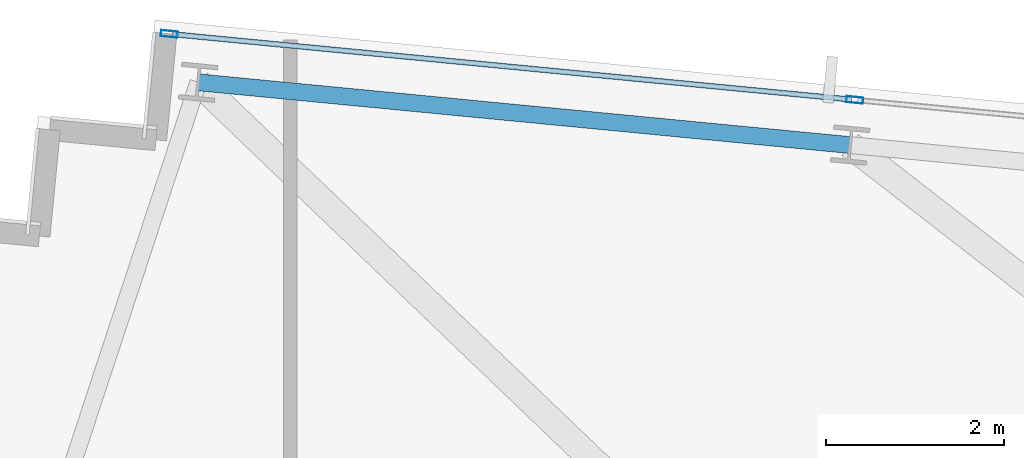
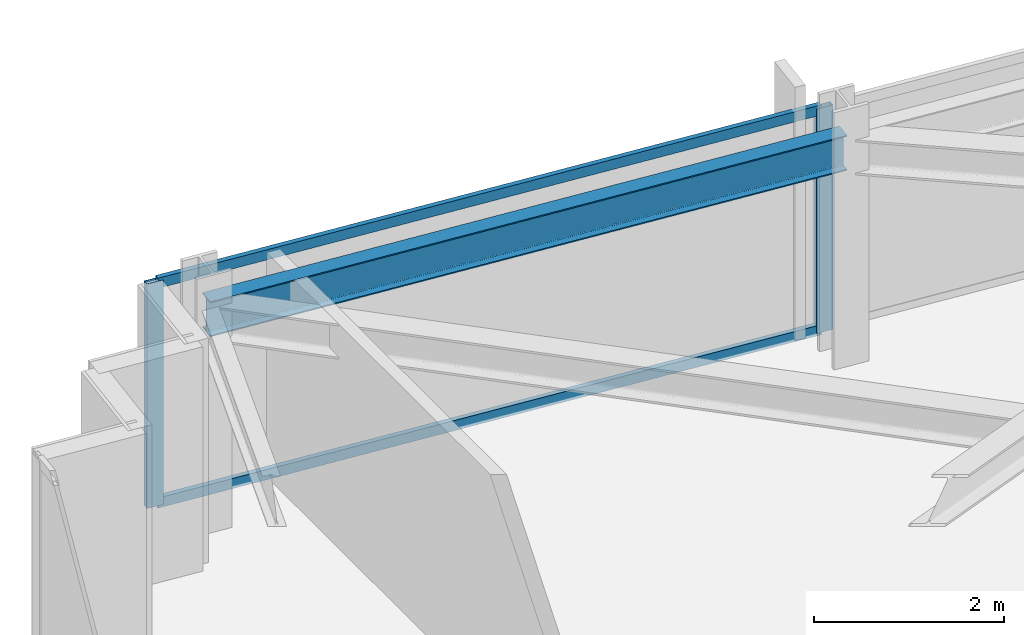
# One storey, part 23 of 37: 4 members, 1 beam, 1 element without a shape of its own.
"""IFC4 building model written with IfcOpenShell, lengths in metres."""

from ifc_helpers import new_model, si_unit, direction, frame, origin, origin_2d, place, context, subcontext, project, spatial, hollow_rectangle, i_section, extrude, material, material_profile, profile_set, type_object, element, aggregate, save


model = new_model("IFC4")

# Units and contexts
model_context = context("Model", 3, precision=1e-05, world=origin(), true_north=direction((0.0, 1.0)))
body_context = subcontext(model_context, "Body", "Model", "MODEL_VIEW")
ifc_project = project(units=[si_unit("LENGTHUNIT", "METRE"), si_unit("AREAUNIT", "SQUARE_METRE"), si_unit("VOLUMEUNIT", "CUBIC_METRE"), si_unit("PLANEANGLEUNIT", "RADIAN"), si_unit("MASSUNIT", "GRAM", prefix="KILO")], contexts=[model_context])

# Site, building, storey
site_placement = place(None, origin())
site = spatial("IfcSite", under=ifc_project, at=site_placement, CompositionType="ELEMENT")
building_placement = place(site_placement, origin())
building = spatial("IfcBuilding", under=site, at=building_placement, Name="Yelkora Congress Tower", CompositionType="ELEMENT")
storey_placement = place(building_placement, frame((0.0, 0.0, 188.60009765625)))
storey = spatial("IfcBuildingStorey", under=building, at=storey_placement, Name="L52", CompositionType="ELEMENT", Elevation=188.60009765625)

# Beam
ifc_material_1 = material(Name="Steel S355J2", Category="steel")
ifc_material_profile_1 = material_profile(ifc_material_1, i_section(OverallWidth=0.18994140625, OverallDepth=0.449951171875, WebThickness=0.009521484375, FlangeThickness=0.0146484375, FilletRadius=0.02099609375, at=origin_2d()), Name="IPE 450")
ifc_profile_set_1 = profile_set([ifc_material_profile_1], Name="Steel S355J2")
beam_type = type_object("IfcBeamType", Name="BM-SPAN-IPE450", PredefinedType="SPANDREL", material=ifc_profile_set_1)
beam_placement = place(storey_placement, frame((14.712158203125, 49.685546875, 2.65478515625), z_axis=(-0.995397104697, 0.095836339457, 0.0), x_axis=(-0.095836339457, -0.995397104697, 0.0)))
element("IfcBeam", 1, at=beam_placement, inside=storey, type_object=beam_type, Name="L52 Perimeter Beam 15", PredefinedType="SPANDREL", context=body_context, shape_type="SweptSolid", body=[
    extrude(i_section(OverallWidth=0.18994140625, OverallDepth=0.449951171875, WebThickness=0.009521484375, FlangeThickness=0.0146484375, FilletRadius=0.02099609375, at=origin_2d()), origin(), (0.0, 0.0, 1.0), 7.357177734375),
])

# Curtain wall, members
ifc_material_2 = material(Name="Anodised aluminium and insulated glass", Category="aluminium")
curtain_wall_type = type_object("IfcCurtainWallType", Name="CW-SYS-B3", PredefinedType="NOTDEFINED", material=ifc_material_2)
curtain_wall_placement = place(storey_placement, origin())
curtain_wall = element("IfcCurtainWall", 2, at=curtain_wall_placement, inside=storey, type_object=curtain_wall_type, Name="L52 Unitised Curtain Wall 10 (1)", PredefinedType="NOTDEFINED")
ifc_material_3 = material(Name="Anodised aluminium 6063-T6", Category="aluminium")
ifc_material_profile_2 = material_profile(ifc_material_3, hollow_rectangle(XDim=0.070068359375, YDim=0.18994140625, WallThickness=0.00390625, at=origin_2d()), Name="ALU 70x190x4")
ifc_profile_set_2 = profile_set([ifc_material_profile_2], Name="Anodised aluminium 6063-T6")
member_type_1 = type_object("IfcMemberType", Name="MEM-ML-B3", PredefinedType="MULLION", material=ifc_profile_set_2)
member_1_placement = place(storey_placement, frame((7.064453125, 50.934326171875, 0.0), z_axis=(0.0, 0.0, 1.0), x_axis=(0.095844761168, 0.995396293823, 0.0)))
member_1 = element("IfcMember", 3, at=member_1_placement, type_object=member_type_1, Name="CW-B3 mullion 1", PredefinedType="MULLION", context=body_context, shape_type="SweptSolid", body=[
    extrude(hollow_rectangle(XDim=0.070068359375, YDim=0.18994140625, WallThickness=0.00390625, at=origin_2d()), origin(), (0.0, 0.0, 1.0), 2.8798828125),
])
member_2_placement = place(storey_placement, frame((14.76318359375, 50.19287109375, 0.0), z_axis=(0.0, 0.0, 1.0), x_axis=(0.095844761168, 0.995396293823, 0.0)))
member_2 = element("IfcMember", 4, at=member_2_placement, type_object=member_type_1, Name="CW-B3 mullion 2", PredefinedType="MULLION", context=body_context, shape_type="SweptSolid", body=[
    extrude(hollow_rectangle(XDim=0.070068359375, YDim=0.18994140625, WallThickness=0.00390625, at=origin_2d()), origin(), (0.0, 0.0, 1.0), 2.8798828125),
])
ifc_material_profile_3 = material_profile(ifc_material_3, hollow_rectangle(XDim=0.06005859375, YDim=0.1298828125, WallThickness=0.00390625, at=origin_2d()), Name="ALU 60x130x4")
ifc_profile_set_3 = profile_set([ifc_material_profile_3], Name="Anodised aluminium 6063-T6")
member_type_2 = type_object("IfcMemberType", Name="MEM-TR-B3", PredefinedType="USERDEFINED", material=ifc_profile_set_3)
member_3_placement = place(storey_placement, frame((7.099365234375, 50.930908203125, 0.02978515625), z_axis=(0.995395712642, -0.09585079683, 0.0), x_axis=(0.09585079683, 0.995395712642, 0.0)))
member_3 = element("IfcMember", 5, at=member_3_placement, type_object=member_type_2, Name="CW-B3 transom 1.1", ObjectType="TRANSOM", PredefinedType="USERDEFINED", context=body_context, shape_type="SweptSolid", body=[
    extrude(hollow_rectangle(XDim=0.06005859375, YDim=0.1298828125, WallThickness=0.00390625, at=origin_2d()), origin(), (0.0, 0.0, 1.0), 7.664306640625),
])
member_4_placement = place(storey_placement, frame((7.099365234375, 50.930908203125, 2.849853515625), z_axis=(0.995395712642, -0.09585079683, 0.0), x_axis=(0.09585079683, 0.995395712642, 0.0)))
member_4 = element("IfcMember", 6, at=member_4_placement, type_object=member_type_2, Name="CW-B3 transom 1.2", ObjectType="TRANSOM", PredefinedType="USERDEFINED", context=body_context, shape_type="SweptSolid", body=[
    extrude(hollow_rectangle(XDim=0.06005859375, YDim=0.1298828125, WallThickness=0.00390625, at=origin_2d()), origin(), (0.0, 0.0, 1.0), 7.664306640625),
])
aggregate(curtain_wall, [member_1, member_2, member_3, member_4])

save(model, "model.ifc")
